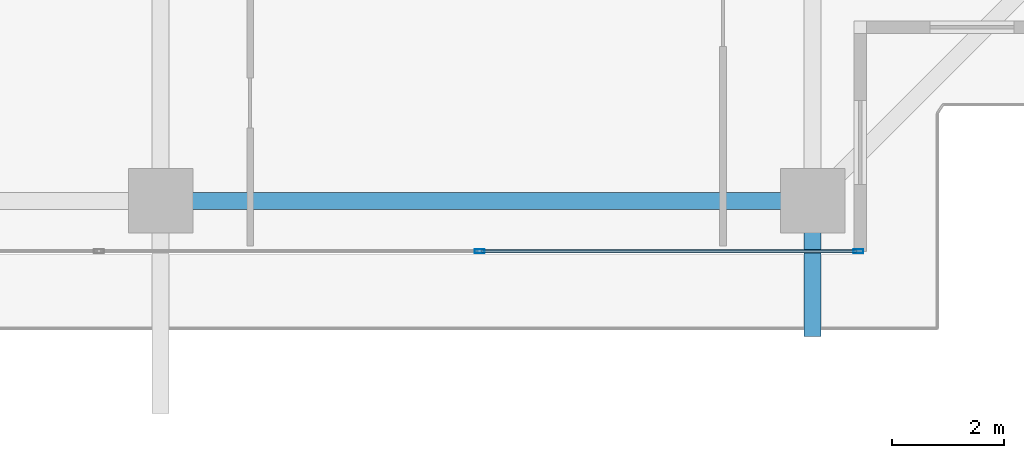
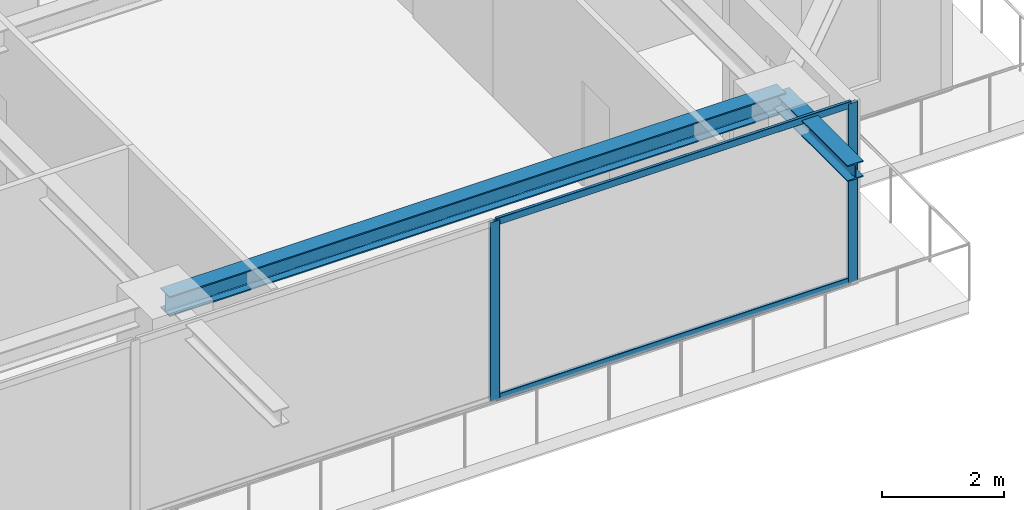
# One storey, part 12 of 38: 4 members, 2 beams, 1 element without a shape of its own.
"""IFC4 building model written with IfcOpenShell, lengths in metres."""

import ifcopenshell
import ifcopenshell.guid

model = None  # the IFC model being written
_history = None  # IfcOwnerHistory: only IFC2X3 demands one
_inside = {}  # id of a spatial element -> (the spatial element, [elements in it])
_under = {}  # id of a project, library or spatial element -> (it, [spatial elements below it])
_declared = {}  # id of a project -> (the project, [libraries it declares])
_typed = {}  # id of a type object -> (the type object, [elements of that type])
_made_of = {}  # id of a material, layer set ... -> (it, [elements and type objects made of it])


def new_model(schema):
    """Start an empty IFC model of exactly this schema.

    Asked for "IFC4X3", IfcOpenShell would pick the latest addendum, in which some entities
    have other attributes; the version numbers below select the first issue.
    IFC2X3 requires an IfcOwnerHistory on every rooted entity: one is made here for all.
    """
    global model, _history
    if schema == "IFC4X3":
        model = ifcopenshell.file(schema_version=(4, 3, 0, 0))
    else:
        model = ifcopenshell.file(schema=schema)
    _inside.clear()
    _under.clear()
    _declared.clear()
    _typed.clear()
    _made_of.clear()
    _history = None
    if model.schema == "IFC2X3":
        org = make("IfcOrganization", Name="unknown")
        user = make(
            "IfcPersonAndOrganization",
            ThePerson=make("IfcPerson", FamilyName="unknown"),
            TheOrganization=org,
        )
        app = make(
            "IfcApplication",
            ApplicationDeveloper=org,
            Version="unknown",
            ApplicationFullName="unknown",
            ApplicationIdentifier="unknown",
        )
        _history = make(
            "IfcOwnerHistory",
            OwningUser=user,
            OwningApplication=app,
            ChangeAction="ADDED",
            CreationDate=0,
        )
    return model


def make(cls, **values):
    """One entity of the class cls with the attributes given. An attribute that is None is left unset."""
    return model.create_entity(
        cls, **{name: value for name, value in values.items() if value is not None}
    )


def rooted(cls, **values):
    """An entity with a GlobalId (a new one), such as an element, a storey or a relation."""
    return make(cls, GlobalId=ifcopenshell.guid.new(), OwnerHistory=_history, **values)


def si_unit(unit_type, name, prefix=None):
    """IfcSIUnit, for example si_unit("LENGTHUNIT", "METRE", prefix="MILLI")."""
    return make("IfcSIUnit", UnitType=unit_type, Prefix=prefix, Name=name)


def assignment(units):
    """IfcUnitAssignment: the units of a project."""
    return None if units is None else make("IfcUnitAssignment", Units=units)


def point(xyz):
    """IfcCartesianPoint."""
    return None if xyz is None else make("IfcCartesianPoint", Coordinates=xyz)


def direction(xyz):
    """IfcDirection."""
    return None if xyz is None else make("IfcDirection", DirectionRatios=xyz)


def frame(location, z_axis=None, x_axis=None):
    """IfcAxis2Placement3D, a coordinate frame: its origin and axes. An axis left out is left unset."""
    return make(
        "IfcAxis2Placement3D",
        Location=point(location),
        Axis=direction(z_axis),
        RefDirection=direction(x_axis),
    )


def frame_2d(location, x_axis=None):
    """IfcAxis2Placement2D, a coordinate frame in the plane: its origin and x axis."""
    return make(
        "IfcAxis2Placement2D", Location=point(location), RefDirection=direction(x_axis)
    )


def origin():
    """The frame at (0, 0, 0) with its axes left unset."""
    return frame((0.0, 0.0, 0.0))


def origin_2d():
    """The frame at (0, 0) in the plane with its x axis left unset."""
    return frame_2d((0.0, 0.0))


def place(relative_to, where):
    """IfcLocalPlacement: puts the frame where relative to a parent placement (None: the world)."""
    return make(
        "IfcLocalPlacement", PlacementRelTo=relative_to, RelativePlacement=where
    )


def context(
    kind, dimensions, precision=None, world=None, true_north=None, identifier=None
):
    """IfcGeometricRepresentationContext, for example the 3D "Model" context."""
    return make(
        "IfcGeometricRepresentationContext",
        ContextIdentifier=identifier,
        ContextType=kind,
        CoordinateSpaceDimension=dimensions,
        Precision=precision,
        WorldCoordinateSystem=world,
        TrueNorth=true_north,
    )


def subcontext(parent, identifier, kind, view, scale=None):
    """IfcGeometricRepresentationSubContext, for example "Body" below "Model"."""
    return make(
        "IfcGeometricRepresentationSubContext",
        ContextIdentifier=identifier,
        ContextType=kind,
        ParentContext=parent,
        TargetScale=scale,
        TargetView=view,
    )


def project(units=None, contexts=None):
    """IfcProject with its units and contexts."""
    return rooted(
        "IfcProject",
        Name="project",
        RepresentationContexts=contexts,
        UnitsInContext=assignment(units),
    )


def spatial(cls, under=None, at=None, **own):
    """A site, building, storey or space (cls), placed at a placement, below another one or the project."""
    s = rooted(cls, ObjectPlacement=at, **own)
    if under is not None:
        _under.setdefault(under.id(), (under, []))[1].append(s)
    return s


def profile(cls, at=None, kind="AREA", **sizes):
    """A parametric profile (cls). Its sizes go by their IFC names, for example OverallWidth=200.0."""
    return make(cls, ProfileType=kind, Position=at, **sizes)


def hollow_rectangle(**sizes):
    """IfcRectangleHollowProfileDef."""
    return profile("IfcRectangleHollowProfileDef", **sizes)


def i_section(**sizes):
    """IfcIShapeProfileDef."""
    return profile("IfcIShapeProfileDef", **sizes)


def extrude(swept, where, along, depth):
    """IfcExtrudedAreaSolid: the profile swept, set in the frame where, extruded along a direction by depth."""
    return make(
        "IfcExtrudedAreaSolid",
        SweptArea=swept,
        Position=where,
        ExtrudedDirection=direction(along),
        Depth=depth,
    )


def shape(context_of_items, identifier, shape_type, items):
    """IfcShapeRepresentation: the items that make up one representation, for example the "Body"."""
    return make(
        "IfcShapeRepresentation",
        ContextOfItems=context_of_items,
        RepresentationIdentifier=identifier,
        RepresentationType=shape_type,
        Items=items,
    )


def source(mapping_origin, context_of_items, identifier, shape_type, items):
    """IfcRepresentationMap: a shape defined once, which mapped items show again and again."""
    return make(
        "IfcRepresentationMap",
        MappingOrigin=mapping_origin,
        MappedRepresentation=shape(context_of_items, identifier, shape_type, items),
    )


def transform(
    local_origin,
    x_axis=None,
    y_axis=None,
    z_axis=None,
    scale=None,
    scale2=None,
    scale3=None,
    uniform=True,
):
    """IfcCartesianTransformationOperator3D, or its non-uniform kind. x_axis, y_axis, z_axis: its Axis1, 2, 3."""
    if uniform:
        return make(
            "IfcCartesianTransformationOperator3D",
            Axis1=direction(x_axis),
            Axis2=direction(y_axis),
            LocalOrigin=point(local_origin),
            Scale=scale,
            Axis3=direction(z_axis),
        )
    return make(
        "IfcCartesianTransformationOperator3DnonUniform",
        Axis1=direction(x_axis),
        Axis2=direction(y_axis),
        LocalOrigin=point(local_origin),
        Scale=scale,
        Axis3=direction(z_axis),
        Scale2=scale2,
        Scale3=scale3,
    )


def mapped(mapping_source, mapping_target):
    """IfcMappedItem: shows the shape of a source again, moved by a transform."""
    return make(
        "IfcMappedItem", MappingSource=mapping_source, MappingTarget=mapping_target
    )


def material(Name=None, Category=None):
    """IfcMaterial."""
    return make("IfcMaterial", Name=Name, Category=Category)


def layer(
    of_material, thickness, ventilated=None, Name=None, Category=None, Priority=None
):
    """IfcMaterialLayer: one layer of a wall or slab, of a material (None: an air gap)."""
    return make(
        "IfcMaterialLayer",
        Material=of_material,
        LayerThickness=thickness,
        IsVentilated=ventilated,
        Name=Name,
        Category=Category,
        Priority=Priority,
    )


def layer_set(layers, Name=None):
    """IfcMaterialLayerSet."""
    return make("IfcMaterialLayerSet", MaterialLayers=layers, LayerSetName=Name)


def material_profile(
    of_material, cross_section, Name=None, Category=None, Priority=None
):
    """IfcMaterialProfile: a cross section and its material."""
    return make(
        "IfcMaterialProfile",
        Name=Name,
        Material=of_material,
        Profile=cross_section,
        Priority=Priority,
        Category=Category,
    )


def profile_set(profiles, Name=None, composite=None):
    """IfcMaterialProfileSet."""
    return make(
        "IfcMaterialProfileSet",
        Name=Name,
        MaterialProfiles=profiles,
        CompositeProfile=composite,
    )


def made_of(thing, what):
    """Note that an element or type object is made of a material, layer set ...; save() writes the relation."""
    if what is not None:
        _made_of.setdefault(what.id(), (what, []))[1].append(thing)
    return thing


def type_object(cls, material=None, **own):
    """A type object (cls), such as IfcWallType, which elements share."""
    return made_of(rooted(cls, **own), material)


def element(
    cls,
    number,
    at=None,
    inside=None,
    cuts=None,
    type_object=None,
    material=None,
    context=None,
    identifier="Body",
    shape_type=None,
    held_by="IfcProductDefinitionShape",
    body=None,
    shapes=None,
    **own,
):
    """One element of the class cls, such as IfcWall. Its Tag is "e" and its number.

    at: its placement. inside: the storey or other place that contains it. cuts: it is an
    opening in that element (IfcRelVoidsElement). A single representation is given by context,
    identifier, shape_type and body (its items); several are given by shapes. held_by: the class
    of the entity that holds the representations. save() writes the other relations.
    """
    e = rooted(cls, Tag="e%d" % number, ObjectPlacement=at, **own)
    if body is not None:
        shapes = [shape(context, identifier, shape_type, body)]
    if shapes is not None:
        e.Representation = make(held_by, Representations=shapes)
    if inside is not None:
        _inside.setdefault(inside.id(), (inside, []))[1].append(e)
    if cuts is not None:
        rooted(
            "IfcRelVoidsElement", RelatingBuildingElement=cuts, RelatedOpeningElement=e
        )
    if type_object is not None:
        _typed.setdefault(type_object.id(), (type_object, []))[1].append(e)
    return made_of(e, material)


def aggregate(whole, parts):
    """IfcRelAggregates: a whole, such as a stair, and the parts it consists of."""
    return rooted("IfcRelAggregates", RelatingObject=whole, RelatedObjects=parts)


def save(model, path):
    """Write the relations noted so far, then the file.

    IfcRelAggregates (storeys below a building ...), IfcRelContainedInSpatialStructure (elements
    in a storey), IfcRelDefinesByType, IfcRelAssociatesMaterial and IfcRelDeclares: one each for
    every whole, place, type object, material and project.
    """
    for whole, parts in _under.values():
        aggregate(whole, parts)
    for where, things in _inside.values():
        rooted(
            "IfcRelContainedInSpatialStructure",
            RelatedElements=things,
            RelatingStructure=where,
        )
    for kind, things in _typed.values():
        rooted("IfcRelDefinesByType", RelatedObjects=things, RelatingType=kind)
    for what, things in _made_of.values():
        rooted("IfcRelAssociatesMaterial", RelatedObjects=things, RelatingMaterial=what)
    for by, libraries in _declared.values():
        rooted("IfcRelDeclares", RelatingContext=by, RelatedDefinitions=libraries)
    model.write(path)


model = new_model("IFC4")

# Units and contexts
model_context = context("Model", 3, precision=1e-05, world=origin(), true_north=direction((0.0, 1.0)))
body_context = subcontext(model_context, "Body", "Model", "MODEL_VIEW")
ifc_project = project(units=[si_unit("LENGTHUNIT", "METRE"), si_unit("AREAUNIT", "SQUARE_METRE"), si_unit("VOLUMEUNIT", "CUBIC_METRE"), si_unit("PLANEANGLEUNIT", "RADIAN"), si_unit("MASSUNIT", "GRAM", prefix="KILO")], contexts=[model_context])

# Site, building, storey
site_placement = place(None, origin())
site = spatial("IfcSite", under=ifc_project, at=site_placement, CompositionType="ELEMENT")
building_placement = place(site_placement, origin())
building = spatial("IfcBuilding", under=site, at=building_placement, Name="Serunith Strait Residences", CompositionType="ELEMENT")
storey_placement = place(building_placement, frame((0.0, 0.0, 237.39990234375)))
storey = spatial("IfcBuildingStorey", under=building, at=storey_placement, Name="L59", CompositionType="ELEMENT", Elevation=237.39990234375)

# Beams
ifc_material_1 = material(Name="Steel S355J2", Category="steel")
ifc_material_profile_1 = material_profile(ifc_material_1, i_section(OverallWidth=0.300048828125, OverallDepth=0.39990234375, WebThickness=0.013427734375, FlangeThickness=0.02392578125, FilletRadius=0.027099609375, at=origin_2d()), Name="HEB 400")
ifc_profile_set_1 = profile_set([ifc_material_profile_1], Name="Steel S355J2")
beam_type_1 = type_object("IfcBeamType", Name="BM-HEB400", PredefinedType="BEAM", material=ifc_profile_set_1)
shared_shape_1 = source(origin(), body_context, "Body", "SweptSolid", [
    extrude(i_section(OverallWidth=0.300048828125, OverallDepth=0.39990234375, WebThickness=0.013427734375, FlangeThickness=0.02392578125, FilletRadius=0.027099609375, at=origin_2d()), origin(), (0.0, 0.0, 1.0), 11.650146484375),
])
beam_1_placement = place(storey_placement, frame((36.89990234375, 2.10009765625, 3.38720703125), z_axis=(1.0, 0.0, 0.0), x_axis=(0.0, 1.0, 0.0)))
element("IfcBeam", 1, at=beam_1_placement, inside=storey, type_object=beam_type_1, Name="L59 Perimeter Ring Beam 03", PredefinedType="BEAM", context=body_context, shape_type="MappedRepresentation", body=[
    mapped(shared_shape_1, transform((0.0, 0.0, 0.0), scale=1.0)),
])
ifc_material_profile_2 = material_profile(ifc_material_1, i_section(OverallWidth=0.300048828125, OverallDepth=0.320068359375, WebThickness=0.011474609375, FlangeThickness=0.0205078125, FilletRadius=0.027099609375, at=origin_2d()), Name="HEB 320")
ifc_profile_set_2 = profile_set([ifc_material_profile_2], Name="Steel S355J2")
beam_type_2 = type_object("IfcBeamType", Name="BM-HEB320", PredefinedType="BEAM", material=ifc_profile_set_2)
shared_shape_2 = source(origin(), body_context, "Body", "SweptSolid", [
    extrude(i_section(OverallWidth=0.300048828125, OverallDepth=0.320068359375, WebThickness=0.011474609375, FlangeThickness=0.0205078125, FilletRadius=0.027099609375, at=origin_2d()), origin(), (0.0, 0.0, 1.0), 2.422119140625),
])
beam_2_placement = place(storey_placement, frame((48.550048828125, 2.10009765625, 3.397216796875), z_axis=(0.0, -1.0, 0.0), x_axis=(1.0, 0.0, 0.0)))
element("IfcBeam", 2, at=beam_2_placement, inside=storey, type_object=beam_type_2, Name="L60 Cantilevered Balcony Rib TC-S4", PredefinedType="BEAM", context=body_context, shape_type="MappedRepresentation", body=[
    mapped(shared_shape_2, transform((0.0, 0.0, 0.0), scale=1.0)),
])

# Curtain wall, members
ifc_material_2 = material(Name="Pale-Champagne Anodised Aluminium", Category="aluminium")
ifc_layer = layer(ifc_material_2, 0.199951171875, Name="Pale-Champagne Anodised Aluminium")
ifc_layer_set = layer_set([ifc_layer], Name="Pale-Champagne Anodised Aluminium")
curtain_wall_type = type_object("IfcCurtainWallType", Name="CW-SYS4", PredefinedType="NOTDEFINED", material=ifc_layer_set)
curtain_wall_placement = place(storey_placement, origin())
curtain_wall = element("IfcCurtainWall", 3, at=curtain_wall_placement, inside=storey, type_object=curtain_wall_type, Name="L59 S Unitised Fritted Curtain Wall", PredefinedType="NOTDEFINED")
ifc_material_profile_3 = material_profile(ifc_material_2, hollow_rectangle(XDim=0.06005859375, YDim=0.139892578125, WallThickness=0.00341796875, InnerFilletRadius=0.00537109375, OuterFilletRadius=0.0087890625, at=origin_2d()), Name="ALU 140x60x3.5")
ifc_profile_set_3 = profile_set([ifc_material_profile_3], Name="Pale-Champagne Anodised Aluminium")
member_type_1 = type_object("IfcMemberType", Name="CW-SYS4-TRAN", PredefinedType="USERDEFINED", material=ifc_profile_set_3)
shared_shape_3 = source(origin(), body_context, "Body", "SweptSolid", [
    extrude(hollow_rectangle(XDim=0.06005859375, YDim=0.139892578125, WallThickness=0.00341796875, InnerFilletRadius=0.00537109375, OuterFilletRadius=0.0087890625, at=origin_2d()), origin(), (0.0, 0.0, 1.0), 6.702392578125),
])
member_1_placement = place(storey_placement, frame((42.632568359375, 1.199951171875, 0.030029296875), z_axis=(1.0, 0.0, 0.0), x_axis=(0.0, 1.0, 0.0)))
member_1 = element("IfcMember", 4, at=member_1_placement, type_object=member_type_1, Name="CW-4 transom 5.1", ObjectType="TRANSOM", PredefinedType="USERDEFINED", context=body_context, shape_type="MappedRepresentation", body=[
    mapped(shared_shape_3, transform((0.0, 0.0, 0.0), scale=1.0)),
])
member_2_placement = place(storey_placement, frame((42.632568359375, 1.199951171875, 3.545166015625), z_axis=(1.0, 0.0, 0.0), x_axis=(0.0, 1.0, 0.0)))
member_2 = element("IfcMember", 5, at=member_2_placement, type_object=member_type_1, Name="CW-4 transom 5.2", ObjectType="TRANSOM", PredefinedType="USERDEFINED", context=body_context, shape_type="MappedRepresentation", body=[
    mapped(shared_shape_3, transform((0.0, 0.0, 0.0), scale=1.0)),
])
ifc_material_profile_4 = material_profile(ifc_material_2, hollow_rectangle(XDim=0.06494140625, YDim=0.179931640625, WallThickness=0.00341796875, InnerFilletRadius=0.00537109375, OuterFilletRadius=0.0087890625, at=origin_2d()), Name="ALU 180x65x3.5")
ifc_profile_set_4 = profile_set([ifc_material_profile_4], Name="Pale-Champagne Anodised Aluminium")
member_type_2 = type_object("IfcMemberType", Name="CW-SYS4-MULL", PredefinedType="MULLION", material=ifc_profile_set_4)
shared_shape_4 = source(origin(), body_context, "Body", "SweptSolid", [
    extrude(hollow_rectangle(XDim=0.06494140625, YDim=0.179931640625, WallThickness=0.00341796875, InnerFilletRadius=0.00537109375, OuterFilletRadius=0.0087890625, at=origin_2d()), origin(), (0.0, 0.0, 1.0), 3.5751953125),
])
member_3_placement = place(storey_placement, frame((42.60009765625, 1.199951171875, 0.0), z_axis=(0.0, 0.0, 1.0), x_axis=(0.0, 1.0, 0.0)))
member_3 = element("IfcMember", 6, at=member_3_placement, type_object=member_type_2, Name="CW-4 mullion 5", PredefinedType="MULLION", context=body_context, shape_type="MappedRepresentation", body=[
    mapped(shared_shape_4, transform((0.0, 0.0, 0.0), scale=1.0)),
])
member_4_placement = place(storey_placement, frame((49.367431640625, 1.199951171875, 0.0), z_axis=(0.0, 0.0, 1.0), x_axis=(0.0, 1.0, 0.0)))
member_4 = element("IfcMember", 7, at=member_4_placement, type_object=member_type_2, Name="CW-4 mullion 6", PredefinedType="MULLION", context=body_context, shape_type="MappedRepresentation", body=[
    mapped(shared_shape_4, transform((0.0, 0.0, 0.0), scale=1.0)),
])
aggregate(curtain_wall, [member_3, member_4, member_1, member_2])

save(model, "model.ifc")
